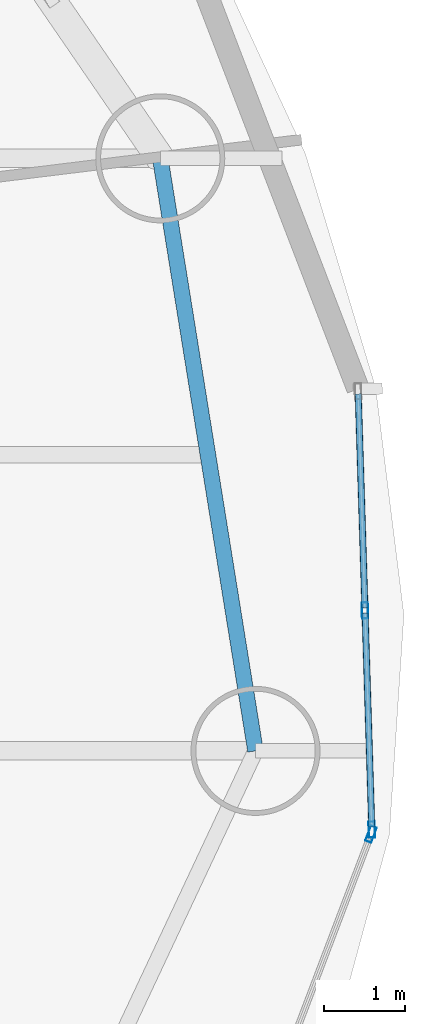
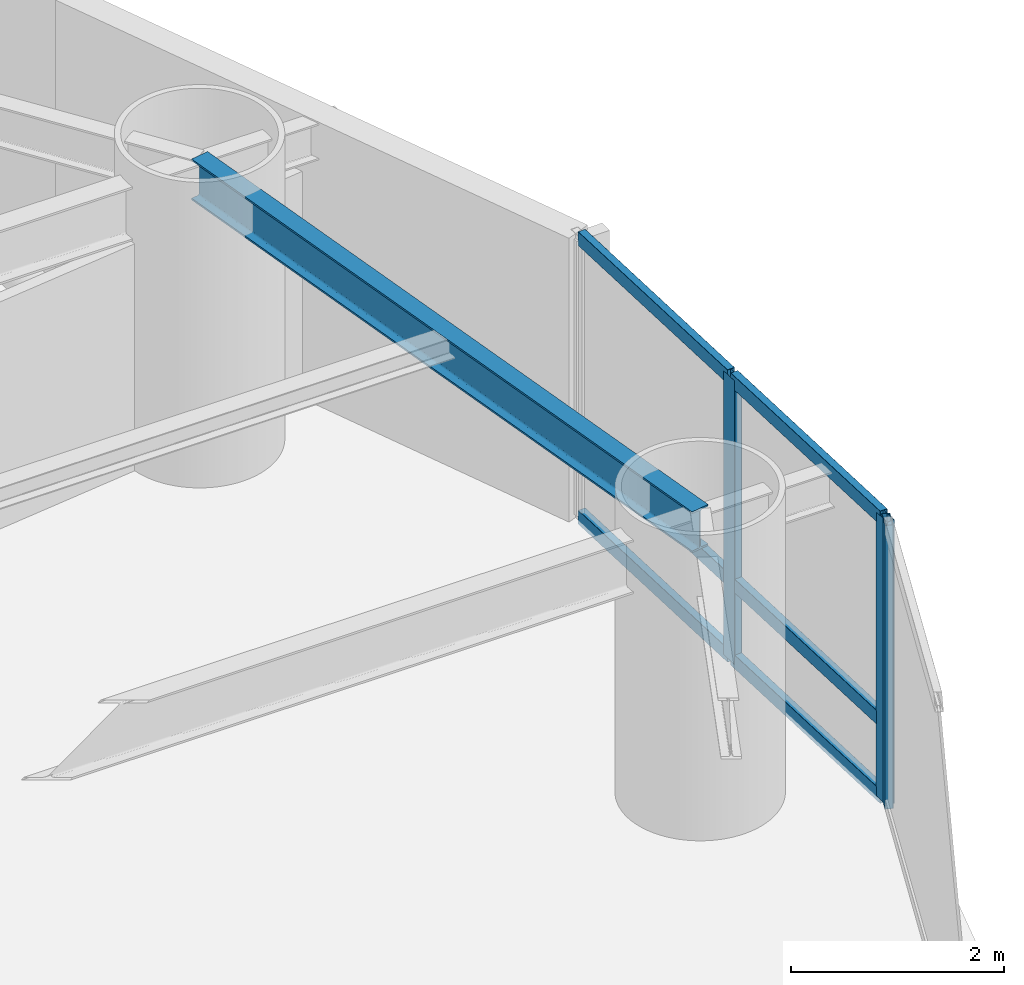
# One storey, part 12 of 27: 9 members, 1 beam, 2 elements without a shape of their own.
"""IFC4 building model written with IfcOpenShell, lengths in metres."""

import ifcopenshell
import ifcopenshell.guid

model = None  # the IFC model being written
_history = None  # IfcOwnerHistory: only IFC2X3 demands one
_inside = {}  # id of a spatial element -> (the spatial element, [elements in it])
_under = {}  # id of a project, library or spatial element -> (it, [spatial elements below it])
_declared = {}  # id of a project -> (the project, [libraries it declares])
_typed = {}  # id of a type object -> (the type object, [elements of that type])
_made_of = {}  # id of a material, layer set ... -> (it, [elements and type objects made of it])


def new_model(schema):
    """Start an empty IFC model of exactly this schema.

    Asked for "IFC4X3", IfcOpenShell would pick the latest addendum, in which some entities
    have other attributes; the version numbers below select the first issue.
    IFC2X3 requires an IfcOwnerHistory on every rooted entity: one is made here for all.
    """
    global model, _history
    if schema == "IFC4X3":
        model = ifcopenshell.file(schema_version=(4, 3, 0, 0))
    else:
        model = ifcopenshell.file(schema=schema)
    _inside.clear()
    _under.clear()
    _declared.clear()
    _typed.clear()
    _made_of.clear()
    _history = None
    if model.schema == "IFC2X3":
        org = make("IfcOrganization", Name="unknown")
        user = make(
            "IfcPersonAndOrganization",
            ThePerson=make("IfcPerson", FamilyName="unknown"),
            TheOrganization=org,
        )
        app = make(
            "IfcApplication",
            ApplicationDeveloper=org,
            Version="unknown",
            ApplicationFullName="unknown",
            ApplicationIdentifier="unknown",
        )
        _history = make(
            "IfcOwnerHistory",
            OwningUser=user,
            OwningApplication=app,
            ChangeAction="ADDED",
            CreationDate=0,
        )
    return model


def make(cls, **values):
    """One entity of the class cls with the attributes given. An attribute that is None is left unset."""
    return model.create_entity(
        cls, **{name: value for name, value in values.items() if value is not None}
    )


def rooted(cls, **values):
    """An entity with a GlobalId (a new one), such as an element, a storey or a relation."""
    return make(cls, GlobalId=ifcopenshell.guid.new(), OwnerHistory=_history, **values)


def si_unit(unit_type, name, prefix=None):
    """IfcSIUnit, for example si_unit("LENGTHUNIT", "METRE", prefix="MILLI")."""
    return make("IfcSIUnit", UnitType=unit_type, Prefix=prefix, Name=name)


def assignment(units):
    """IfcUnitAssignment: the units of a project."""
    return None if units is None else make("IfcUnitAssignment", Units=units)


def point(xyz):
    """IfcCartesianPoint."""
    return None if xyz is None else make("IfcCartesianPoint", Coordinates=xyz)


def direction(xyz):
    """IfcDirection."""
    return None if xyz is None else make("IfcDirection", DirectionRatios=xyz)


def frame(location, z_axis=None, x_axis=None):
    """IfcAxis2Placement3D, a coordinate frame: its origin and axes. An axis left out is left unset."""
    return make(
        "IfcAxis2Placement3D",
        Location=point(location),
        Axis=direction(z_axis),
        RefDirection=direction(x_axis),
    )


def frame_2d(location, x_axis=None):
    """IfcAxis2Placement2D, a coordinate frame in the plane: its origin and x axis."""
    return make(
        "IfcAxis2Placement2D", Location=point(location), RefDirection=direction(x_axis)
    )


def origin():
    """The frame at (0, 0, 0) with its axes left unset."""
    return frame((0.0, 0.0, 0.0))


def origin_2d():
    """The frame at (0, 0) in the plane with its x axis left unset."""
    return frame_2d((0.0, 0.0))


def place(relative_to, where):
    """IfcLocalPlacement: puts the frame where relative to a parent placement (None: the world)."""
    return make(
        "IfcLocalPlacement", PlacementRelTo=relative_to, RelativePlacement=where
    )


def context(
    kind, dimensions, precision=None, world=None, true_north=None, identifier=None
):
    """IfcGeometricRepresentationContext, for example the 3D "Model" context."""
    return make(
        "IfcGeometricRepresentationContext",
        ContextIdentifier=identifier,
        ContextType=kind,
        CoordinateSpaceDimension=dimensions,
        Precision=precision,
        WorldCoordinateSystem=world,
        TrueNorth=true_north,
    )


def subcontext(parent, identifier, kind, view, scale=None):
    """IfcGeometricRepresentationSubContext, for example "Body" below "Model"."""
    return make(
        "IfcGeometricRepresentationSubContext",
        ContextIdentifier=identifier,
        ContextType=kind,
        ParentContext=parent,
        TargetScale=scale,
        TargetView=view,
    )


def project(units=None, contexts=None):
    """IfcProject with its units and contexts."""
    return rooted(
        "IfcProject",
        Name="project",
        RepresentationContexts=contexts,
        UnitsInContext=assignment(units),
    )


def spatial(cls, under=None, at=None, **own):
    """A site, building, storey or space (cls), placed at a placement, below another one or the project."""
    s = rooted(cls, ObjectPlacement=at, **own)
    if under is not None:
        _under.setdefault(under.id(), (under, []))[1].append(s)
    return s


def profile(cls, at=None, kind="AREA", **sizes):
    """A parametric profile (cls). Its sizes go by their IFC names, for example OverallWidth=200.0."""
    return make(cls, ProfileType=kind, Position=at, **sizes)


def hollow_rectangle(**sizes):
    """IfcRectangleHollowProfileDef."""
    return profile("IfcRectangleHollowProfileDef", **sizes)


def i_section(**sizes):
    """IfcIShapeProfileDef."""
    return profile("IfcIShapeProfileDef", **sizes)


def extrude(swept, where, along, depth):
    """IfcExtrudedAreaSolid: the profile swept, set in the frame where, extruded along a direction by depth."""
    return make(
        "IfcExtrudedAreaSolid",
        SweptArea=swept,
        Position=where,
        ExtrudedDirection=direction(along),
        Depth=depth,
    )


def shape(context_of_items, identifier, shape_type, items):
    """IfcShapeRepresentation: the items that make up one representation, for example the "Body"."""
    return make(
        "IfcShapeRepresentation",
        ContextOfItems=context_of_items,
        RepresentationIdentifier=identifier,
        RepresentationType=shape_type,
        Items=items,
    )


def material(Name=None, Category=None):
    """IfcMaterial."""
    return make("IfcMaterial", Name=Name, Category=Category)


def layer(
    of_material, thickness, ventilated=None, Name=None, Category=None, Priority=None
):
    """IfcMaterialLayer: one layer of a wall or slab, of a material (None: an air gap)."""
    return make(
        "IfcMaterialLayer",
        Material=of_material,
        LayerThickness=thickness,
        IsVentilated=ventilated,
        Name=Name,
        Category=Category,
        Priority=Priority,
    )


def layer_set(layers, Name=None):
    """IfcMaterialLayerSet."""
    return make("IfcMaterialLayerSet", MaterialLayers=layers, LayerSetName=Name)


def material_profile(
    of_material, cross_section, Name=None, Category=None, Priority=None
):
    """IfcMaterialProfile: a cross section and its material."""
    return make(
        "IfcMaterialProfile",
        Name=Name,
        Material=of_material,
        Profile=cross_section,
        Priority=Priority,
        Category=Category,
    )


def profile_set(profiles, Name=None, composite=None):
    """IfcMaterialProfileSet."""
    return make(
        "IfcMaterialProfileSet",
        Name=Name,
        MaterialProfiles=profiles,
        CompositeProfile=composite,
    )


def made_of(thing, what):
    """Note that an element or type object is made of a material, layer set ...; save() writes the relation."""
    if what is not None:
        _made_of.setdefault(what.id(), (what, []))[1].append(thing)
    return thing


def type_object(cls, material=None, **own):
    """A type object (cls), such as IfcWallType, which elements share."""
    return made_of(rooted(cls, **own), material)


def element(
    cls,
    number,
    at=None,
    inside=None,
    cuts=None,
    type_object=None,
    material=None,
    context=None,
    identifier="Body",
    shape_type=None,
    held_by="IfcProductDefinitionShape",
    body=None,
    shapes=None,
    **own,
):
    """One element of the class cls, such as IfcWall. Its Tag is "e" and its number.

    at: its placement. inside: the storey or other place that contains it. cuts: it is an
    opening in that element (IfcRelVoidsElement). A single representation is given by context,
    identifier, shape_type and body (its items); several are given by shapes. held_by: the class
    of the entity that holds the representations. save() writes the other relations.
    """
    e = rooted(cls, Tag="e%d" % number, ObjectPlacement=at, **own)
    if body is not None:
        shapes = [shape(context, identifier, shape_type, body)]
    if shapes is not None:
        e.Representation = make(held_by, Representations=shapes)
    if inside is not None:
        _inside.setdefault(inside.id(), (inside, []))[1].append(e)
    if cuts is not None:
        rooted(
            "IfcRelVoidsElement", RelatingBuildingElement=cuts, RelatedOpeningElement=e
        )
    if type_object is not None:
        _typed.setdefault(type_object.id(), (type_object, []))[1].append(e)
    return made_of(e, material)


def aggregate(whole, parts):
    """IfcRelAggregates: a whole, such as a stair, and the parts it consists of."""
    return rooted("IfcRelAggregates", RelatingObject=whole, RelatedObjects=parts)


def save(model, path):
    """Write the relations noted so far, then the file.

    IfcRelAggregates (storeys below a building ...), IfcRelContainedInSpatialStructure (elements
    in a storey), IfcRelDefinesByType, IfcRelAssociatesMaterial and IfcRelDeclares: one each for
    every whole, place, type object, material and project.
    """
    for whole, parts in _under.values():
        aggregate(whole, parts)
    for where, things in _inside.values():
        rooted(
            "IfcRelContainedInSpatialStructure",
            RelatedElements=things,
            RelatingStructure=where,
        )
    for kind, things in _typed.values():
        rooted("IfcRelDefinesByType", RelatedObjects=things, RelatingType=kind)
    for what, things in _made_of.values():
        rooted("IfcRelAssociatesMaterial", RelatedObjects=things, RelatingMaterial=what)
    for by, libraries in _declared.values():
        rooted("IfcRelDeclares", RelatingContext=by, RelatedDefinitions=libraries)
    model.write(path)


model = new_model("IFC4")

# Units and contexts
model_context = context("Model", 3, precision=1e-05, world=origin(), true_north=direction((0.0, 1.0)))
body_context = subcontext(model_context, "Body", "Model", "MODEL_VIEW")
ifc_project = project(units=[si_unit("LENGTHUNIT", "METRE"), si_unit("AREAUNIT", "SQUARE_METRE"), si_unit("VOLUMEUNIT", "CUBIC_METRE"), si_unit("PLANEANGLEUNIT", "RADIAN"), si_unit("MASSUNIT", "GRAM", prefix="KILO")], contexts=[model_context])

# Site, building, storey
site_placement = place(None, origin())
site = spatial("IfcSite", under=ifc_project, at=site_placement, CompositionType="ELEMENT")
building_placement = place(site_placement, origin())
building = spatial("IfcBuilding", under=site, at=building_placement, Name="Bramvorn Convention Spire", CompositionType="ELEMENT")
storey_placement = place(building_placement, frame((0.0, 0.0, 72.89990234375)))
storey = spatial("IfcBuildingStorey", under=building, at=storey_placement, Name="L16", CompositionType="ELEMENT", Elevation=72.89990234375)

# Beam
ifc_material_1 = material(Name="Steel CSA G40.21 Grade 350 (350W)", Category="steel")
ifc_material_profile_1 = material_profile(ifc_material_1, i_section(OverallWidth=0.194091796875, OverallDepth=0.468994140625, WebThickness=0.0126953125, FlangeThickness=0.0205078125, FilletRadius=0.01806640625, at=origin_2d()))
ifc_profile_set_1 = profile_set([ifc_material_profile_1], Name="Steel CSA G40.21 Grade 350 (350W) - W460X106")
beam_type = type_object("IfcBeamType", Name="BM-W460X106", PredefinedType="SPANDREL", material=ifc_profile_set_1)
beam_placement = place(storey_placement, frame((66.519775390625, 21.99169921875, 3.015625), z_axis=(-0.158699222824, 0.987326975563, 0.0), x_axis=(-0.987326975563, -0.158699222824, 0.0)))
element("IfcBeam", 1, at=beam_placement, inside=storey, type_object=beam_type, Name="L16 mega-column ring beam 01", PredefinedType="SPANDREL", context=body_context, shape_type="SweptSolid", body=[
    extrude(i_section(OverallWidth=0.194091796875, OverallDepth=0.468994140625, WebThickness=0.0126953125, FlangeThickness=0.0205078125, FilletRadius=0.01806640625, at=origin_2d()), origin(), (0.0, 0.0, 1.0), 7.442626953125),
])

# Curtain wall, members
ifc_material_2 = material(Name="Anodised Bronze Unitised Curtain Wall", Category="aluminium")
ifc_layer = layer(ifc_material_2, 0.179931640625)
ifc_layer_set = layer_set([ifc_layer], Name="Anodised Bronze Unitised Curtain Wall - CW-HTL-FRIT")
curtain_wall_type = type_object("IfcCurtainWallType", Name="CW-HTL-FRIT", PredefinedType="USERDEFINED", material=ifc_layer_set)
curtain_wall_1_placement = place(storey_placement, origin())
curtain_wall_1 = element("IfcCurtainWall", 2, at=curtain_wall_1_placement, inside=storey, type_object=curtain_wall_type, Name="L16 fritted glass curtain wall 01", ObjectType="UNITISED CURTAIN WALL", PredefinedType="USERDEFINED")
ifc_material_3 = material(Name="Anodised Bronze Aluminium 6063-T6", Category="aluminium")
ifc_material_profile_2 = material_profile(ifc_material_3, hollow_rectangle(XDim=0.080078125, YDim=0.199951171875, WallThickness=0.00390625, InnerFilletRadius=0.0009765625, OuterFilletRadius=0.00390625, at=origin_2d()))
ifc_profile_set_2 = profile_set([ifc_material_profile_2], Name="Anodised Bronze Aluminium 6063-T6 - CWM80X200")
member_type_1 = type_object("IfcMemberType", Name="CW-MUL-180", PredefinedType="MULLION", material=ifc_profile_set_2)
member_1_placement = place(storey_placement, frame((67.877685546875, 23.733154296875, 0.0), z_axis=(0.0, 0.0, 1.0), x_axis=(0.999512697028, 0.031214875928, 0.0)))
member_1 = element("IfcMember", 3, at=member_1_placement, type_object=member_type_1, Name="CW2 mullion 2", PredefinedType="MULLION", context=body_context, shape_type="SweptSolid", body=[
    extrude(hollow_rectangle(XDim=0.080078125, YDim=0.199951171875, WallThickness=0.00390625, InnerFilletRadius=0.0009765625, OuterFilletRadius=0.00390625, at=origin_2d()), origin(), (0.0, 0.0, 1.0), 3.25),
])
member_2_placement = place(storey_placement, frame((67.96240234375, 21.015869140625, 0.0), z_axis=(0.0, 0.0, 1.0), x_axis=(0.999512697028, 0.031214875928, 0.0)))
member_2 = element("IfcMember", 4, at=member_2_placement, type_object=member_type_1, Name="CW2 mullion 3", PredefinedType="MULLION", context=body_context, shape_type="SweptSolid", body=[
    extrude(hollow_rectangle(XDim=0.080078125, YDim=0.199951171875, WallThickness=0.00390625, InnerFilletRadius=0.0009765625, OuterFilletRadius=0.00390625, at=origin_2d()), origin(), (0.0, 0.0, 1.0), 3.25),
])

# Curtain wall, member
curtain_wall_2_placement = place(storey_placement, origin())
curtain_wall_2 = element("IfcCurtainWall", 5, at=curtain_wall_2_placement, inside=storey, type_object=curtain_wall_type, Name="L16 fritted glass curtain wall 24", ObjectType="UNITISED CURTAIN WALL", PredefinedType="USERDEFINED")
member_3_placement = place(storey_placement, frame((67.95263671875, 20.957763671875, 0.0), z_axis=(0.0, 0.0, 1.0), x_axis=(0.934901189917, -0.354908107953, 0.0)))
member_3 = element("IfcMember", 6, at=member_3_placement, type_object=member_type_1, Name="CW2 mullion 1", PredefinedType="MULLION", context=body_context, shape_type="SweptSolid", body=[
    extrude(hollow_rectangle(XDim=0.080078125, YDim=0.199951171875, WallThickness=0.00390625, InnerFilletRadius=0.0009765625, OuterFilletRadius=0.00390625, at=origin_2d()), origin(), (0.0, 0.0, 1.0), 3.25),
])
aggregate(curtain_wall_2, [member_3])

# Member
ifc_material_profile_3 = material_profile(ifc_material_3, hollow_rectangle(XDim=0.080078125, YDim=0.159912109375, WallThickness=0.00390625, InnerFilletRadius=0.0009765625, OuterFilletRadius=0.00390625, at=origin_2d()))
ifc_profile_set_3 = profile_set([ifc_material_profile_3], Name="Anodised Bronze Aluminium 6063-T6 - CWT80X160")
member_type_2 = type_object("IfcMemberType", Name="CW-TRN-150", PredefinedType="USERDEFINED", material=ifc_profile_set_3)
member_4_placement = place(storey_placement, frame((67.793701171875, 26.420654296875, 0.030029296875), z_axis=(0.031220418753, -0.99951252391, 0.0), x_axis=(0.99951252391, 0.031220418753, 0.0)))
member_4 = element("IfcMember", 7, at=member_4_placement, type_object=member_type_2, Name="CW2 transom 1.1", ObjectType="TRANSOM", PredefinedType="USERDEFINED", context=body_context, shape_type="SweptSolid", body=[
    extrude(hollow_rectangle(XDim=0.080078125, YDim=0.159912109375, WallThickness=0.00390625, InnerFilletRadius=0.0009765625, OuterFilletRadius=0.00390625, at=origin_2d()), origin(), (0.0, 0.0, 1.0), 2.65869140625),
])

member_5_placement = place(storey_placement, frame((67.793701171875, 26.420654296875, 0.900146484375), z_axis=(0.031220418753, -0.99951252391, 0.0), x_axis=(0.99951252391, 0.031220418753, 0.0)))
member_5 = element("IfcMember", 8, at=member_5_placement, type_object=member_type_2, Name="CW2 transom 1.2", ObjectType="TRANSOM", PredefinedType="USERDEFINED", context=body_context, shape_type="SweptSolid", body=[
    extrude(hollow_rectangle(XDim=0.080078125, YDim=0.159912109375, WallThickness=0.00390625, InnerFilletRadius=0.0009765625, OuterFilletRadius=0.00390625, at=origin_2d()), origin(), (0.0, 0.0, 1.0), 2.65869140625),
])

member_6_placement = place(storey_placement, frame((67.793701171875, 26.420654296875, 3.22021484375), z_axis=(0.031220418753, -0.99951252391, 0.0), x_axis=(0.99951252391, 0.031220418753, 0.0)))
member_6 = element("IfcMember", 9, at=member_6_placement, type_object=member_type_2, Name="CW2 transom 1.3", ObjectType="TRANSOM", PredefinedType="USERDEFINED", context=body_context, shape_type="SweptSolid", body=[
    extrude(hollow_rectangle(XDim=0.080078125, YDim=0.159912109375, WallThickness=0.00390625, InnerFilletRadius=0.0009765625, OuterFilletRadius=0.00390625, at=origin_2d()), origin(), (0.0, 0.0, 1.0), 2.65869140625),
])

member_7_placement = place(storey_placement, frame((67.87841796875, 23.703369140625, 0.030029296875), z_axis=(0.031220418753, -0.99951252391, 0.0), x_axis=(0.99951252391, 0.031220418753, 0.0)))
member_7 = element("IfcMember", 10, at=member_7_placement, type_object=member_type_2, Name="CW2 transom 2.1", ObjectType="TRANSOM", PredefinedType="USERDEFINED", context=body_context, shape_type="SweptSolid", body=[
    extrude(hollow_rectangle(XDim=0.080078125, YDim=0.159912109375, WallThickness=0.00390625, InnerFilletRadius=0.0009765625, OuterFilletRadius=0.00390625, at=origin_2d()), origin(), (0.0, 0.0, 1.0), 2.65869140625),
])

member_8_placement = place(storey_placement, frame((67.87841796875, 23.703369140625, 0.900146484375), z_axis=(0.031220418753, -0.99951252391, 0.0), x_axis=(0.99951252391, 0.031220418753, 0.0)))
member_8 = element("IfcMember", 11, at=member_8_placement, type_object=member_type_2, Name="CW2 transom 2.2", ObjectType="TRANSOM", PredefinedType="USERDEFINED", context=body_context, shape_type="SweptSolid", body=[
    extrude(hollow_rectangle(XDim=0.080078125, YDim=0.159912109375, WallThickness=0.00390625, InnerFilletRadius=0.0009765625, OuterFilletRadius=0.00390625, at=origin_2d()), origin(), (0.0, 0.0, 1.0), 2.65869140625),
])

member_9_placement = place(storey_placement, frame((67.87841796875, 23.703369140625, 3.22021484375), z_axis=(0.031220418753, -0.99951252391, 0.0), x_axis=(0.99951252391, 0.031220418753, 0.0)))
member_9 = element("IfcMember", 12, at=member_9_placement, type_object=member_type_2, Name="CW2 transom 2.3", ObjectType="TRANSOM", PredefinedType="USERDEFINED", context=body_context, shape_type="SweptSolid", body=[
    extrude(hollow_rectangle(XDim=0.080078125, YDim=0.159912109375, WallThickness=0.00390625, InnerFilletRadius=0.0009765625, OuterFilletRadius=0.00390625, at=origin_2d()), origin(), (0.0, 0.0, 1.0), 2.65869140625),
])

aggregate(curtain_wall_1, [member_1, member_2, member_4, member_5, member_6, member_7, member_8, member_9])

save(model, "model.ifc")
